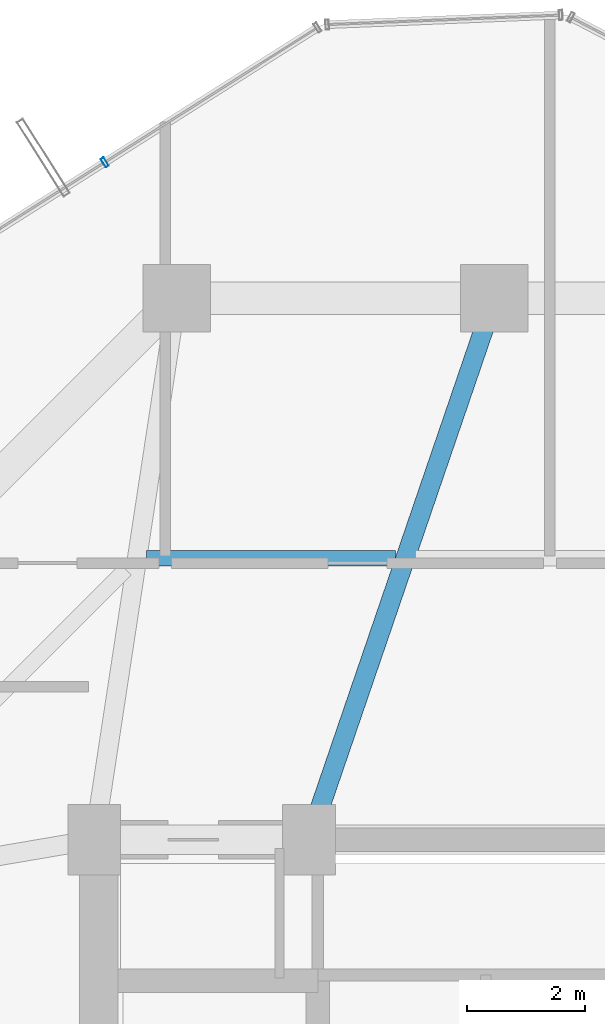
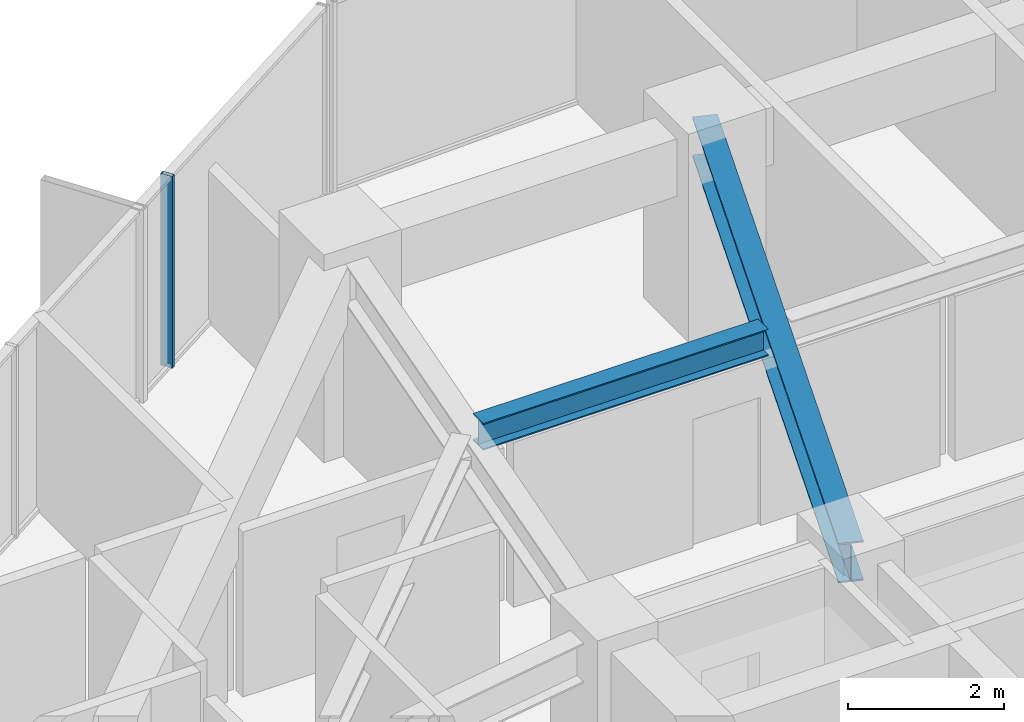
# One storey, part 20 of 32: 2 beams, 1 member, 1 element without a shape of its own.
"""IFC4 building model written with IfcOpenShell, lengths in metres."""

import ifcopenshell
import ifcopenshell.guid

model = None  # the IFC model being written
_history = None  # IfcOwnerHistory: only IFC2X3 demands one
_inside = {}  # id of a spatial element -> (the spatial element, [elements in it])
_under = {}  # id of a project, library or spatial element -> (it, [spatial elements below it])
_declared = {}  # id of a project -> (the project, [libraries it declares])
_typed = {}  # id of a type object -> (the type object, [elements of that type])
_made_of = {}  # id of a material, layer set ... -> (it, [elements and type objects made of it])


def new_model(schema):
    """Start an empty IFC model of exactly this schema.

    Asked for "IFC4X3", IfcOpenShell would pick the latest addendum, in which some entities
    have other attributes; the version numbers below select the first issue.
    IFC2X3 requires an IfcOwnerHistory on every rooted entity: one is made here for all.
    """
    global model, _history
    if schema == "IFC4X3":
        model = ifcopenshell.file(schema_version=(4, 3, 0, 0))
    else:
        model = ifcopenshell.file(schema=schema)
    _inside.clear()
    _under.clear()
    _declared.clear()
    _typed.clear()
    _made_of.clear()
    _history = None
    if model.schema == "IFC2X3":
        org = make("IfcOrganization", Name="unknown")
        user = make(
            "IfcPersonAndOrganization",
            ThePerson=make("IfcPerson", FamilyName="unknown"),
            TheOrganization=org,
        )
        app = make(
            "IfcApplication",
            ApplicationDeveloper=org,
            Version="unknown",
            ApplicationFullName="unknown",
            ApplicationIdentifier="unknown",
        )
        _history = make(
            "IfcOwnerHistory",
            OwningUser=user,
            OwningApplication=app,
            ChangeAction="ADDED",
            CreationDate=0,
        )
    return model


def make(cls, **values):
    """One entity of the class cls with the attributes given. An attribute that is None is left unset."""
    return model.create_entity(
        cls, **{name: value for name, value in values.items() if value is not None}
    )


def rooted(cls, **values):
    """An entity with a GlobalId (a new one), such as an element, a storey or a relation."""
    return make(cls, GlobalId=ifcopenshell.guid.new(), OwnerHistory=_history, **values)


def si_unit(unit_type, name, prefix=None):
    """IfcSIUnit, for example si_unit("LENGTHUNIT", "METRE", prefix="MILLI")."""
    return make("IfcSIUnit", UnitType=unit_type, Prefix=prefix, Name=name)


def assignment(units):
    """IfcUnitAssignment: the units of a project."""
    return None if units is None else make("IfcUnitAssignment", Units=units)


def point(xyz):
    """IfcCartesianPoint."""
    return None if xyz is None else make("IfcCartesianPoint", Coordinates=xyz)


def direction(xyz):
    """IfcDirection."""
    return None if xyz is None else make("IfcDirection", DirectionRatios=xyz)


def frame(location, z_axis=None, x_axis=None):
    """IfcAxis2Placement3D, a coordinate frame: its origin and axes. An axis left out is left unset."""
    return make(
        "IfcAxis2Placement3D",
        Location=point(location),
        Axis=direction(z_axis),
        RefDirection=direction(x_axis),
    )


def frame_2d(location, x_axis=None):
    """IfcAxis2Placement2D, a coordinate frame in the plane: its origin and x axis."""
    return make(
        "IfcAxis2Placement2D", Location=point(location), RefDirection=direction(x_axis)
    )


def origin():
    """The frame at (0, 0, 0) with its axes left unset."""
    return frame((0.0, 0.0, 0.0))


def origin_2d():
    """The frame at (0, 0) in the plane with its x axis left unset."""
    return frame_2d((0.0, 0.0))


def place(relative_to, where):
    """IfcLocalPlacement: puts the frame where relative to a parent placement (None: the world)."""
    return make(
        "IfcLocalPlacement", PlacementRelTo=relative_to, RelativePlacement=where
    )


def context(
    kind, dimensions, precision=None, world=None, true_north=None, identifier=None
):
    """IfcGeometricRepresentationContext, for example the 3D "Model" context."""
    return make(
        "IfcGeometricRepresentationContext",
        ContextIdentifier=identifier,
        ContextType=kind,
        CoordinateSpaceDimension=dimensions,
        Precision=precision,
        WorldCoordinateSystem=world,
        TrueNorth=true_north,
    )


def subcontext(parent, identifier, kind, view, scale=None):
    """IfcGeometricRepresentationSubContext, for example "Body" below "Model"."""
    return make(
        "IfcGeometricRepresentationSubContext",
        ContextIdentifier=identifier,
        ContextType=kind,
        ParentContext=parent,
        TargetScale=scale,
        TargetView=view,
    )


def project(units=None, contexts=None):
    """IfcProject with its units and contexts."""
    return rooted(
        "IfcProject",
        Name="project",
        RepresentationContexts=contexts,
        UnitsInContext=assignment(units),
    )


def spatial(cls, under=None, at=None, **own):
    """A site, building, storey or space (cls), placed at a placement, below another one or the project."""
    s = rooted(cls, ObjectPlacement=at, **own)
    if under is not None:
        _under.setdefault(under.id(), (under, []))[1].append(s)
    return s


def profile(cls, at=None, kind="AREA", **sizes):
    """A parametric profile (cls). Its sizes go by their IFC names, for example OverallWidth=200.0."""
    return make(cls, ProfileType=kind, Position=at, **sizes)


def hollow_rectangle(**sizes):
    """IfcRectangleHollowProfileDef."""
    return profile("IfcRectangleHollowProfileDef", **sizes)


def i_section(**sizes):
    """IfcIShapeProfileDef."""
    return profile("IfcIShapeProfileDef", **sizes)


def extrude(swept, where, along, depth):
    """IfcExtrudedAreaSolid: the profile swept, set in the frame where, extruded along a direction by depth."""
    return make(
        "IfcExtrudedAreaSolid",
        SweptArea=swept,
        Position=where,
        ExtrudedDirection=direction(along),
        Depth=depth,
    )


def shape(context_of_items, identifier, shape_type, items):
    """IfcShapeRepresentation: the items that make up one representation, for example the "Body"."""
    return make(
        "IfcShapeRepresentation",
        ContextOfItems=context_of_items,
        RepresentationIdentifier=identifier,
        RepresentationType=shape_type,
        Items=items,
    )


def source(mapping_origin, context_of_items, identifier, shape_type, items):
    """IfcRepresentationMap: a shape defined once, which mapped items show again and again."""
    return make(
        "IfcRepresentationMap",
        MappingOrigin=mapping_origin,
        MappedRepresentation=shape(context_of_items, identifier, shape_type, items),
    )


def transform(
    local_origin,
    x_axis=None,
    y_axis=None,
    z_axis=None,
    scale=None,
    scale2=None,
    scale3=None,
    uniform=True,
):
    """IfcCartesianTransformationOperator3D, or its non-uniform kind. x_axis, y_axis, z_axis: its Axis1, 2, 3."""
    if uniform:
        return make(
            "IfcCartesianTransformationOperator3D",
            Axis1=direction(x_axis),
            Axis2=direction(y_axis),
            LocalOrigin=point(local_origin),
            Scale=scale,
            Axis3=direction(z_axis),
        )
    return make(
        "IfcCartesianTransformationOperator3DnonUniform",
        Axis1=direction(x_axis),
        Axis2=direction(y_axis),
        LocalOrigin=point(local_origin),
        Scale=scale,
        Axis3=direction(z_axis),
        Scale2=scale2,
        Scale3=scale3,
    )


def mapped(mapping_source, mapping_target):
    """IfcMappedItem: shows the shape of a source again, moved by a transform."""
    return make(
        "IfcMappedItem", MappingSource=mapping_source, MappingTarget=mapping_target
    )


def material(Name=None, Category=None):
    """IfcMaterial."""
    return make("IfcMaterial", Name=Name, Category=Category)


def layer(
    of_material, thickness, ventilated=None, Name=None, Category=None, Priority=None
):
    """IfcMaterialLayer: one layer of a wall or slab, of a material (None: an air gap)."""
    return make(
        "IfcMaterialLayer",
        Material=of_material,
        LayerThickness=thickness,
        IsVentilated=ventilated,
        Name=Name,
        Category=Category,
        Priority=Priority,
    )


def layer_set(layers, Name=None):
    """IfcMaterialLayerSet."""
    return make("IfcMaterialLayerSet", MaterialLayers=layers, LayerSetName=Name)


def material_profile(
    of_material, cross_section, Name=None, Category=None, Priority=None
):
    """IfcMaterialProfile: a cross section and its material."""
    return make(
        "IfcMaterialProfile",
        Name=Name,
        Material=of_material,
        Profile=cross_section,
        Priority=Priority,
        Category=Category,
    )


def profile_set(profiles, Name=None, composite=None):
    """IfcMaterialProfileSet."""
    return make(
        "IfcMaterialProfileSet",
        Name=Name,
        MaterialProfiles=profiles,
        CompositeProfile=composite,
    )


def made_of(thing, what):
    """Note that an element or type object is made of a material, layer set ...; save() writes the relation."""
    if what is not None:
        _made_of.setdefault(what.id(), (what, []))[1].append(thing)
    return thing


def type_object(cls, material=None, **own):
    """A type object (cls), such as IfcWallType, which elements share."""
    return made_of(rooted(cls, **own), material)


def element(
    cls,
    number,
    at=None,
    inside=None,
    cuts=None,
    type_object=None,
    material=None,
    context=None,
    identifier="Body",
    shape_type=None,
    held_by="IfcProductDefinitionShape",
    body=None,
    shapes=None,
    **own,
):
    """One element of the class cls, such as IfcWall. Its Tag is "e" and its number.

    at: its placement. inside: the storey or other place that contains it. cuts: it is an
    opening in that element (IfcRelVoidsElement). A single representation is given by context,
    identifier, shape_type and body (its items); several are given by shapes. held_by: the class
    of the entity that holds the representations. save() writes the other relations.
    """
    e = rooted(cls, Tag="e%d" % number, ObjectPlacement=at, **own)
    if body is not None:
        shapes = [shape(context, identifier, shape_type, body)]
    if shapes is not None:
        e.Representation = make(held_by, Representations=shapes)
    if inside is not None:
        _inside.setdefault(inside.id(), (inside, []))[1].append(e)
    if cuts is not None:
        rooted(
            "IfcRelVoidsElement", RelatingBuildingElement=cuts, RelatedOpeningElement=e
        )
    if type_object is not None:
        _typed.setdefault(type_object.id(), (type_object, []))[1].append(e)
    return made_of(e, material)


def aggregate(whole, parts):
    """IfcRelAggregates: a whole, such as a stair, and the parts it consists of."""
    return rooted("IfcRelAggregates", RelatingObject=whole, RelatedObjects=parts)


def save(model, path):
    """Write the relations noted so far, then the file.

    IfcRelAggregates (storeys below a building ...), IfcRelContainedInSpatialStructure (elements
    in a storey), IfcRelDefinesByType, IfcRelAssociatesMaterial and IfcRelDeclares: one each for
    every whole, place, type object, material and project.
    """
    for whole, parts in _under.values():
        aggregate(whole, parts)
    for where, things in _inside.values():
        rooted(
            "IfcRelContainedInSpatialStructure",
            RelatedElements=things,
            RelatingStructure=where,
        )
    for kind, things in _typed.values():
        rooted("IfcRelDefinesByType", RelatedObjects=things, RelatingType=kind)
    for what, things in _made_of.values():
        rooted("IfcRelAssociatesMaterial", RelatedObjects=things, RelatingMaterial=what)
    for by, libraries in _declared.values():
        rooted("IfcRelDeclares", RelatingContext=by, RelatedDefinitions=libraries)
    model.write(path)


model = new_model("IFC4")

# Units and contexts
model_context = context("Model", 3, precision=1e-05, world=origin(), true_north=direction((0.0, 1.0)))
body_context = subcontext(model_context, "Body", "Model", "MODEL_VIEW")
ifc_project = project(units=[si_unit("LENGTHUNIT", "METRE"), si_unit("AREAUNIT", "SQUARE_METRE"), si_unit("VOLUMEUNIT", "CUBIC_METRE"), si_unit("PLANEANGLEUNIT", "RADIAN"), si_unit("MASSUNIT", "GRAM", prefix="KILO")], contexts=[model_context])

# Site, building, storey
site_placement = place(None, origin())
site = spatial("IfcSite", under=ifc_project, at=site_placement, CompositionType="ELEMENT")
building_placement = place(site_placement, origin())
building = spatial("IfcBuilding", under=site, at=building_placement, Name="Veraguas Prism Commons", CompositionType="ELEMENT")
storey_placement = place(building_placement, frame((0.0, 0.0, 136.0)))
storey = spatial("IfcBuildingStorey", under=building, at=storey_placement, Name="L38", CompositionType="ELEMENT", Elevation=136.0)

# Beams
ifc_material_1 = material(Name="Steel ASTM A992 Grade 50", Category="steel")
ifc_material_profile_1 = material_profile(ifc_material_1, i_section(OverallWidth=0.260986328125, OverallDepth=0.419921875, WebThickness=0.01171875, FlangeThickness=0.019287109375, at=origin_2d()), Name="W410X114")
ifc_profile_set_1 = profile_set([ifc_material_profile_1], Name="Steel ASTM A992 Grade 50")
beam_type_1 = type_object("IfcBeamType", Name="Lower Floor Joist W410x114", PredefinedType="JOIST", material=ifc_profile_set_1)
beam_1_placement = place(storey_placement, frame((22.31689453125, 35.783935546875, 2.7900390625), z_axis=(-1.0, 0.0, 0.0), x_axis=(0.0, -1.0, 0.0)))
element("IfcBeam", 1, at=beam_1_placement, inside=storey, type_object=beam_type_1, Name="Composite Floor Joist L38-JS05", PredefinedType="JOIST", context=body_context, shape_type="SweptSolid", body=[
    extrude(i_section(OverallWidth=0.260986328125, OverallDepth=0.419921875, WebThickness=0.01171875, FlangeThickness=0.019287109375, at=origin_2d()), origin(), (0.0, 0.0, 1.0), 4.22509765625),
])
ifc_material_profile_2 = material_profile(ifc_material_1, i_section(OverallWidth=0.327880859375, OverallDepth=0.6220703125, WebThickness=0.015380859375, FlangeThickness=0.0244140625, at=origin_2d()), Name="W610X195")
ifc_profile_set_2 = profile_set([ifc_material_profile_2], Name="Steel ASTM A992 Grade 50")
beam_type_2 = type_object("IfcBeamType", Name="Zone 2 Radial Girder W610x195", PredefinedType="BEAM", material=ifc_profile_set_2)
beam_2_placement = place(storey_placement, frame((24.0, 40.199951171875, 2.68896484375), z_axis=(-0.323922482989, -0.946083624747, 0.0), x_axis=(0.946083624747, -0.323922482989, 0.0)))
element("IfcBeam", 2, at=beam_2_placement, inside=storey, type_object=beam_type_2, Name="Radial Floor Girder L38-RD05", PredefinedType="BEAM", context=body_context, shape_type="SweptSolid", body=[
    extrude(i_section(OverallWidth=0.327880859375, OverallDepth=0.6220703125, WebThickness=0.015380859375, FlangeThickness=0.0244140625, at=origin_2d()), origin(), (0.0, 0.0, 1.0), 9.724365234375),
])

# Curtain wall, member
ifc_material_2 = material(Name="Anodised aluminium EN AW-6063 T6", Category="aluminium")
ifc_layer = layer(ifc_material_2, 0.169921875, Name="Unitised Flush Curtain Wall Zone 2", Category="aluminium")
ifc_layer_set = layer_set([ifc_layer], Name="Anodised aluminium EN AW-6063 T6")
curtain_wall_type = type_object("IfcCurtainWallType", Name="Unitised Flush Curtain Wall Zone 2", PredefinedType="NOTDEFINED", material=ifc_layer_set)
curtain_wall_placement = place(storey_placement, origin())
curtain_wall = element("IfcCurtainWall", 3, at=curtain_wall_placement, inside=storey, type_object=curtain_wall_type, Name="Tower Facade Curtain Wall L38-F2", PredefinedType="NOTDEFINED")
ifc_material_profile_3 = material_profile(ifc_material_2, hollow_rectangle(XDim=0.06005859375, YDim=0.169921875, WallThickness=0.00390625, at=origin_2d()), Name="AL60X170X4")
ifc_profile_set_3 = profile_set([ifc_material_profile_3], Name="Anodised aluminium EN AW-6063 T6")
member_type = type_object("IfcMemberType", Name="Curtain Wall Mullion Lower AL 60x170x4", PredefinedType="MULLION", material=ifc_profile_set_3)
shared_shape = source(origin(), body_context, "Body", "SweptSolid", [
    extrude(hollow_rectangle(XDim=0.06005859375, YDim=0.169921875, WallThickness=0.00390625, at=origin_2d()), origin(), (0.0, 0.0, 1.0), 3.0),
])
member_placement = place(storey_placement, frame((17.378662109375, 42.511962890625, 0.0), z_axis=(0.0, 0.0, 1.0), x_axis=(-0.844887645301, -0.534943797813, 0.0)))
member = element("IfcMember", 4, at=member_placement, type_object=member_type, Name="CW-Z2 Mullion 2", PredefinedType="MULLION", context=body_context, shape_type="MappedRepresentation", body=[
    mapped(shared_shape, transform((0.0, 0.0, 0.0), scale=1.0)),
])
aggregate(curtain_wall, [member])

save(model, "model.ifc")
